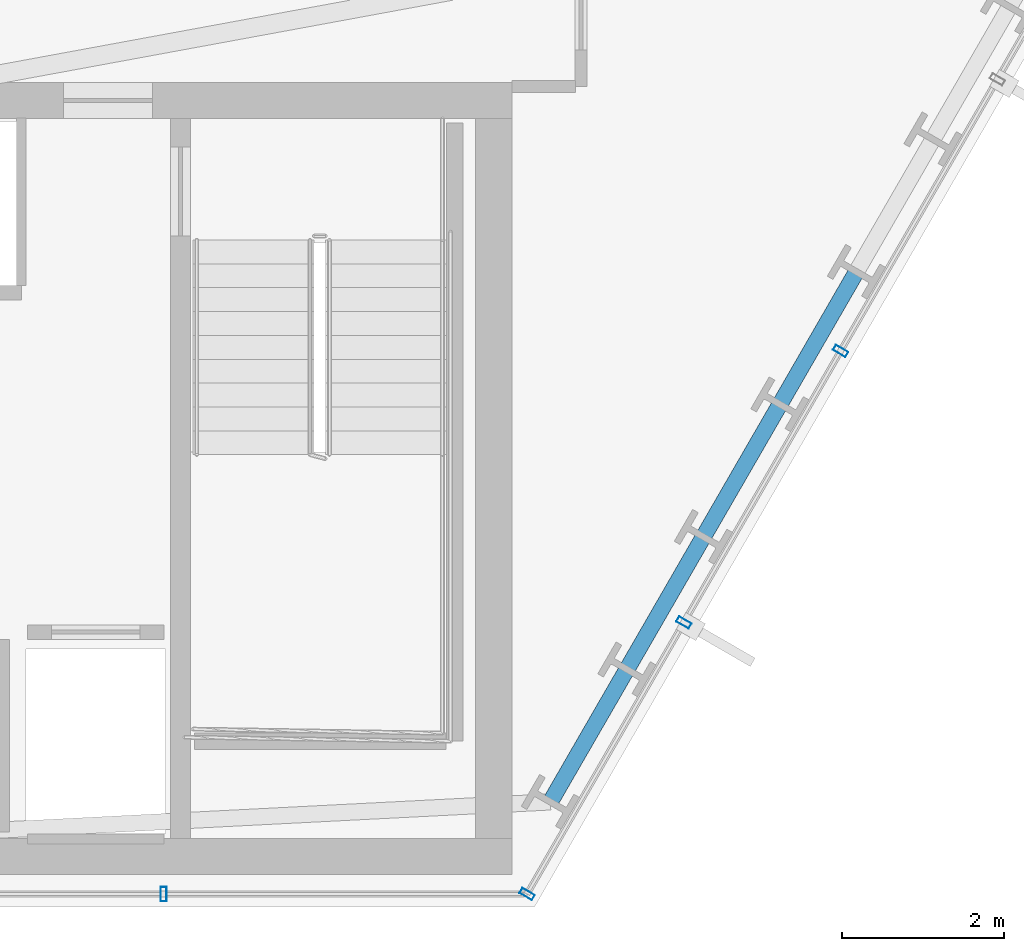
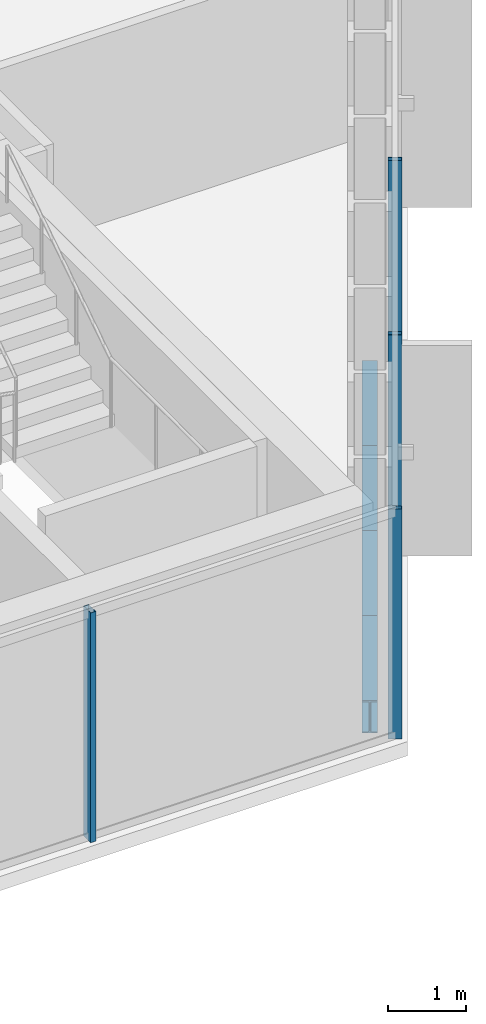
# One storey, part 15 of 32: 4 beams, 4 members, 2 elements without a shape of their own.
"""IFC4 building model written with IfcOpenShell, lengths in metres."""

from ifc_helpers import new_model, si_unit, direction, frame, origin, origin_2d, place, context, subcontext, project, spatial, hollow_rectangle, i_section, extrude, material, layer, layer_set, material_profile, profile_set, type_object, element, aggregate, save


model = new_model("IFC4")

# Units and contexts
model_context = context("Model", 3, precision=1e-05, world=origin(), true_north=direction((0.0, 1.0)))
body_context = subcontext(model_context, "Body", "Model", "MODEL_VIEW")
ifc_project = project(units=[si_unit("LENGTHUNIT", "METRE"), si_unit("AREAUNIT", "SQUARE_METRE"), si_unit("VOLUMEUNIT", "CUBIC_METRE"), si_unit("PLANEANGLEUNIT", "RADIAN"), si_unit("MASSUNIT", "GRAM", prefix="KILO")], contexts=[model_context])

# Site, building, storey
site_placement = place(None, origin())
site = spatial("IfcSite", under=ifc_project, at=site_placement, CompositionType="ELEMENT")
building_placement = place(site_placement, origin())
building = spatial("IfcBuilding", under=site, at=building_placement, Name="Ndaravel Arena Tower", CompositionType="ELEMENT")
storey_placement = place(building_placement, frame((0.0, 0.0, 62.60009765625)))
storey = spatial("IfcBuildingStorey", under=building, at=storey_placement, Name="L13", CompositionType="ELEMENT", Elevation=62.60009765625)

# Beams
ifc_material_1 = material(Name="Steel S355", Category="steel")
ifc_material_profile_1 = material_profile(ifc_material_1, i_section(OverallWidth=0.199951171875, OverallDepth=0.5, WebThickness=0.01025390625, FlangeThickness=0.01611328125, FilletRadius=0.02099609375, at=origin_2d()), Name="IPE 500")
ifc_profile_set_1 = profile_set([ifc_material_profile_1], Name="Steel S355")
beam_type = type_object("IfcBeamType", Name="BM-SPAN-IPE500", PredefinedType="SPANDREL", material=ifc_profile_set_1)
beam_1_placement = place(storey_placement, frame((58.0234375, 6.299560546875, -0.47021484375), z_axis=(0.50000898992, 0.86602021339, 0.0), x_axis=(-0.86602021339, 0.50000898992, 0.0)))
element("IfcBeam", 1, at=beam_1_placement, inside=storey, type_object=beam_type, Name="L13 Perimeter Spandrel Beam SP-02", PredefinedType="SPANDREL", context=body_context, shape_type="SweptSolid", body=[
    extrude(i_section(OverallWidth=0.199951171875, OverallDepth=0.5, WebThickness=0.01025390625, FlangeThickness=0.01611328125, FilletRadius=0.02099609375, at=origin_2d()), origin(), (0.0, 0.0, 1.0), 1.89306640625),
])
beam_2_placement = place(storey_placement, frame((58.969970703125, 7.93896484375, -0.47021484375), z_axis=(0.499968102766, 0.866043818878, 0.0), x_axis=(-0.866043818878, 0.499968102766, 0.0)))
element("IfcBeam", 2, at=beam_2_placement, inside=storey, type_object=beam_type, Name="L13 Perimeter Spandrel Beam SP-03", PredefinedType="SPANDREL", context=body_context, shape_type="SweptSolid", body=[
    extrude(i_section(OverallWidth=0.199951171875, OverallDepth=0.5, WebThickness=0.01025390625, FlangeThickness=0.01611328125, FilletRadius=0.02099609375, at=origin_2d()), origin(), (0.0, 0.0, 1.0), 1.892578125),
])
for number, where, z_axis, x_axis, name in (
    (3, (59.916259765625, 9.578125, -0.47021484375), (0.500064840575, 0.865987964824, 0.0), (-0.865987964824, 0.500064840575, 0.0), "L13 Perimeter Spandrel Beam SP-04"),
    (4, (60.86279296875, 11.21728515625, -0.47021484375), (0.499912255713, 0.866076057046, 0.0), (-0.866076057046, 0.499912255713, 0.0), "L13 Perimeter Spandrel Beam SP-05"),
):
    element("IfcBeam", number, at=place(storey_placement, frame(where, z_axis=z_axis, x_axis=x_axis)), inside=storey, type_object=beam_type, Name=name, PredefinedType="SPANDREL", context=body_context, shape_type="SweptSolid", body=[
        extrude(i_section(OverallWidth=0.199951171875, OverallDepth=0.5, WebThickness=0.01025390625, FlangeThickness=0.01611328125, FilletRadius=0.02099609375, at=origin_2d()), origin(), (0.0, 0.0, 1.0), 1.892822265625),
    ])

# Curtain wall, member
ifc_material_2 = material(Name="Aluminium", Category="aluminium")
ifc_layer_1 = layer(ifc_material_2, 0.179931640625)
ifc_layer_set_1 = layer_set([ifc_layer_1], Name="Aluminium")
curtain_wall_type_1 = type_object("IfcCurtainWallType", Name="CW-SYS-03", PredefinedType="NOTDEFINED", material=ifc_layer_set_1)
curtain_wall_1_placement = place(storey_placement, origin())
curtain_wall_1 = element("IfcCurtainWall", 5, at=curtain_wall_1_placement, inside=storey, type_object=curtain_wall_type_1, Name="L13 Faceted Crystal Curtain Wall CW-L13-E01", PredefinedType="NOTDEFINED")
ifc_material_3 = material(Name="Aluminium", Category="aluminium")
ifc_material_profile_2 = material_profile(ifc_material_3, hollow_rectangle(XDim=0.074951171875, YDim=0.179931640625, WallThickness=0.00390625, at=origin_2d()), Name="CW MULLION 75x180x4")
ifc_profile_set_2 = profile_set([ifc_material_profile_2], Name="Aluminium")
member_type = type_object("IfcMemberType", Name="MEM-CW-MUL180", PredefinedType="MULLION", material=ifc_profile_set_2)
member_1_placement = place(storey_placement, frame((53.2392578125, 5.159912109375, 0.0), z_axis=(0.0, 0.0, 1.0), x_axis=(1.0, 0.0, 0.0)))
member_1 = element("IfcMember", 6, at=member_1_placement, type_object=member_type, Name="CW-L13-E01 Mullion 06", PredefinedType="MULLION", context=body_context, shape_type="SweptSolid", body=[
    extrude(hollow_rectangle(XDim=0.074951171875, YDim=0.179931640625, WallThickness=0.00390625, at=origin_2d()), origin(), (0.0, 0.0, 1.0), 3.579833984375),
])
aggregate(curtain_wall_1, [member_1])

# Curtain wall, members
ifc_material_4 = material(Name="Aluminium", Category="aluminium")
ifc_layer_2 = layer(ifc_material_4, 0.179931640625)
ifc_layer_set_2 = layer_set([ifc_layer_2], Name="Aluminium")
curtain_wall_type_2 = type_object("IfcCurtainWallType", Name="CW-SYS-01", PredefinedType="NOTDEFINED", material=ifc_layer_set_2)
curtain_wall_2_placement = place(storey_placement, origin())
curtain_wall_2 = element("IfcCurtainWall", 7, at=curtain_wall_2_placement, inside=storey, type_object=curtain_wall_type_2, Name="L13 Faceted Crystal Curtain Wall CW-L13-E02", PredefinedType="NOTDEFINED")
member_2_placement = place(storey_placement, frame((57.735107421875, 5.159912109375, 0.0), z_axis=(0.0, 0.0, 1.0), x_axis=(0.5, 0.866025403784, 0.0)))
member_2 = element("IfcMember", 8, at=member_2_placement, type_object=member_type, Name="CW-L13-E02 Mullion 00", PredefinedType="MULLION", context=body_context, shape_type="SweptSolid", body=[
    extrude(hollow_rectangle(XDim=0.074951171875, YDim=0.179931640625, WallThickness=0.00390625, at=origin_2d()), origin(), (0.0, 0.0, 1.0), 3.579833984375),
])
member_3_placement = place(storey_placement, frame((59.674072265625, 8.5185546875, 0.0), z_axis=(0.0, 0.0, 1.0), x_axis=(0.5, 0.866025403784, 0.0)))
member_3 = element("IfcMember", 9, at=member_3_placement, type_object=member_type, Name="CW-L13-E02 Mullion 01", PredefinedType="MULLION", context=body_context, shape_type="SweptSolid", body=[
    extrude(hollow_rectangle(XDim=0.074951171875, YDim=0.179931640625, WallThickness=0.00390625, at=origin_2d()), origin(), (0.0, 0.0, 1.0), 3.579833984375),
])
member_4_placement = place(storey_placement, frame((61.613037109375, 11.876953125, 0.0), z_axis=(0.0, 0.0, 1.0), x_axis=(0.5, 0.866025403784, 0.0)))
member_4 = element("IfcMember", 10, at=member_4_placement, type_object=member_type, Name="CW-L13-E02 Mullion 02", PredefinedType="MULLION", context=body_context, shape_type="SweptSolid", body=[
    extrude(hollow_rectangle(XDim=0.074951171875, YDim=0.179931640625, WallThickness=0.00390625, at=origin_2d()), origin(), (0.0, 0.0, 1.0), 3.579833984375),
])
aggregate(curtain_wall_2, [member_2, member_3, member_4])

save(model, "model.ifc")
